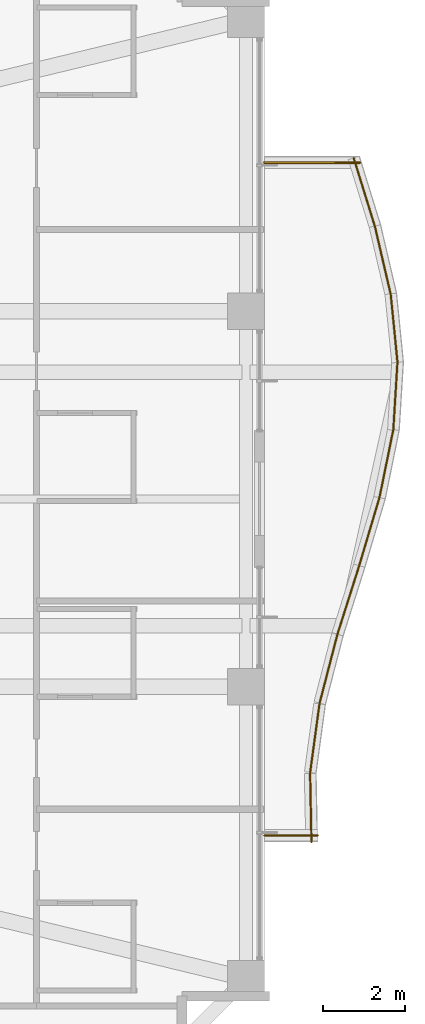
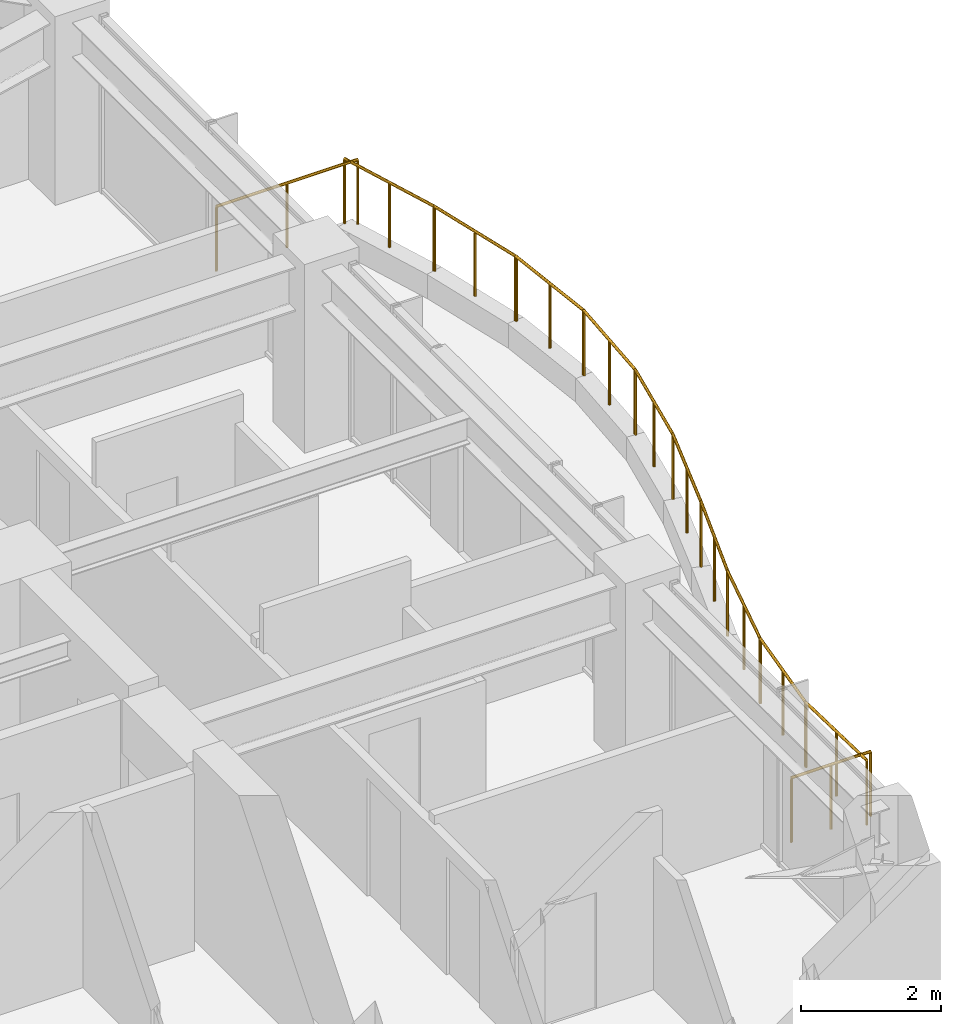
# One storey, part 32 of 32: 12 railings.
"""IFC4 building model written with IfcOpenShell, lengths in metres."""

from ifc_helpers import new_model, si_unit, direction, frame, origin, origin_2d, place, context, subcontext, project, spatial, circle, extrude, material, type_object, element, save


model = new_model("IFC4")

# Units and contexts
model_context = context("Model", 3, precision=1e-05, world=origin(), true_north=direction((0.0, 1.0)))
body_context = subcontext(model_context, "Body", "Model", "MODEL_VIEW")
ifc_project = project(units=[si_unit("LENGTHUNIT", "METRE"), si_unit("AREAUNIT", "SQUARE_METRE"), si_unit("VOLUMEUNIT", "CUBIC_METRE"), si_unit("PLANEANGLEUNIT", "RADIAN"), si_unit("MASSUNIT", "GRAM", prefix="KILO")], contexts=[model_context])

# Site, building, storey
site_placement = place(None, origin())
site = spatial("IfcSite", under=ifc_project, at=site_placement, CompositionType="ELEMENT")
building_placement = place(site_placement, origin())
building = spatial("IfcBuilding", under=site, at=building_placement, Name="Kolvaren Belvedere", CompositionType="ELEMENT")
storey_placement = place(building_placement, frame((0.0, 0.0, 141.5)))
storey = spatial("IfcBuildingStorey", under=building, at=storey_placement, Name="L41", CompositionType="ELEMENT", Elevation=141.5)

# Railings
ifc_material = material(Name="Anodised pale-metal aluminium & laminated glass guard", Category="aluminium")
railing_type = type_object("IfcRailingType", Name="RL-GUARD-1150", PredefinedType="GUARDRAIL", material=ifc_material)
railing_1_placement = place(storey_placement, frame((19.15283203125, -8.4033203125, 0.39990234375)))
element("IfcRailing", 1, at=railing_1_placement, inside=storey, type_object=railing_type, Name="L41 Exterior Deck Safety Guard BAL-E-1", PredefinedType="GUARDRAIL", context=body_context, shape_type="SweptSolid", body=[
    extrude(circle(Radius=0.02392578125, at=origin_2d()), frame((0.0, 0.0, 1.1259765625), z_axis=(-0.020048280122, 0.999799013034, 0.0), x_axis=(-0.999799013034, -0.020048280122, 0.0)), (0.0, 0.0, 1.0), 1.680419921875),
    extrude(circle(Radius=0.02099609375, at=origin_2d()), origin(), (0.0, 0.0, 1.0), 1.101806640625),
    extrude(circle(Radius=0.02099609375, at=origin_2d()), frame((-0.016845703125, 0.840087890625, 0.0)), (0.0, 0.0, 1.0), 1.101806640625),
    extrude(circle(Radius=0.02099609375, at=origin_2d()), frame((-0.03369140625, 1.68017578125, 0.0)), (0.0, 0.0, 1.0), 1.101806640625),
])
railing_2_placement = place(storey_placement, frame((19.12060546875, -6.698486328125, 0.39990234375)))
element("IfcRailing", 2, at=railing_2_placement, inside=storey, type_object=railing_type, Name="L41 Exterior Deck Safety Guard BAL-E-2", PredefinedType="GUARDRAIL", context=body_context, shape_type="SweptSolid", body=[
    extrude(circle(Radius=0.02392578125, at=origin_2d()), frame((0.0, 0.0, 1.1259765625), z_axis=(0.134907602079, 0.990858183042, 0.0), x_axis=(-0.990858183042, 0.134907602079, 0.0)), (0.0, 0.0, 1.0), 1.695556640625),
    extrude(circle(Radius=0.02099609375, at=origin_2d()), origin(), (0.0, 0.0, 1.0), 1.101806640625),
    extrude(circle(Radius=0.02099609375, at=origin_2d()), frame((0.1142578125, 0.840087890625, 0.0)), (0.0, 0.0, 1.0), 1.101806640625),
    extrude(circle(Radius=0.02099609375, at=origin_2d()), frame((0.228759765625, 1.68017578125, 0.0)), (0.0, 0.0, 1.0), 1.101806640625),
])
railing_3_placement = place(storey_placement, frame((19.352783203125, -5.0, 0.39990234375)))
element("IfcRailing", 3, at=railing_3_placement, inside=storey, type_object=railing_type, Name="L41 Exterior Deck Safety Guard BAL-E-3", PredefinedType="GUARDRAIL", context=body_context, shape_type="SweptSolid", body=[
    extrude(circle(Radius=0.02392578125, at=origin_2d()), frame((0.0, 0.0, 1.1259765625), z_axis=(0.250537405469, 0.968106919953, 0.0), x_axis=(-0.968106919953, 0.250537405469, 0.0)), (0.0, 0.0, 1.0), 1.735595703125),
    extrude(circle(Radius=0.02099609375, at=origin_2d()), origin(), (0.0, 0.0, 1.0), 1.101806640625),
    extrude(circle(Radius=0.02099609375, at=origin_2d()), frame((0.21728515625, 0.840087890625, 0.0)), (0.0, 0.0, 1.0), 1.101806640625),
    extrude(circle(Radius=0.02099609375, at=origin_2d()), frame((0.434814453125, 1.68017578125, 0.0)), (0.0, 0.0, 1.0), 1.101806640625),
])
railing_4_placement = place(storey_placement, frame((19.789794921875, -3.3115234375, 0.39990234375)))
element("IfcRailing", 4, at=railing_4_placement, inside=storey, type_object=railing_type, Name="L41 Exterior Deck Safety Guard BAL-E-4", PredefinedType="GUARDRAIL", context=body_context, shape_type="SweptSolid", body=[
    extrude(circle(Radius=0.02392578125, at=origin_2d()), frame((0.0, 0.0, 1.1259765625), z_axis=(0.302523204768, 0.953142020151, 0.0), x_axis=(-0.953142020151, 0.302523204768, 0.0)), (0.0, 0.0, 1.0), 1.762451171875),
    extrude(circle(Radius=0.02099609375, at=origin_2d()), origin(), (0.0, 0.0, 1.0), 1.101806640625),
    extrude(circle(Radius=0.02099609375, at=origin_2d()), frame((0.2666015625, 0.83984375, 0.0)), (0.0, 0.0, 1.0), 1.101806640625),
    extrude(circle(Radius=0.02099609375, at=origin_2d()), frame((0.533203125, 1.679931640625, 0.0)), (0.0, 0.0, 1.0), 1.101806640625),
])
railing_5_placement = place(storey_placement, frame((20.322021484375, -1.634521484375, 0.39990234375)))
element("IfcRailing", 5, at=railing_5_placement, inside=storey, type_object=railing_type, Name="L41 Exterior Deck Safety Guard BAL-E-5", PredefinedType="GUARDRAIL", context=body_context, shape_type="SweptSolid", body=[
    extrude(circle(Radius=0.02392578125, at=origin_2d()), frame((0.0, 0.0, 1.1259765625), z_axis=(0.284842289601, 0.958574394638, 0.0), x_axis=(-0.958574394638, 0.284842289601, 0.0)), (0.0, 0.0, 1.0), 1.752685546875),
    extrude(circle(Radius=0.02099609375, at=origin_2d()), origin(), (0.0, 0.0, 1.0), 1.101806640625),
    extrude(circle(Radius=0.02099609375, at=origin_2d()), frame((0.24951171875, 0.840087890625, 0.0)), (0.0, 0.0, 1.0), 1.101806640625),
    extrude(circle(Radius=0.02099609375, at=origin_2d()), frame((0.499267578125, 1.68017578125, 0.0)), (0.0, 0.0, 1.0), 1.101806640625),
])
railing_6_placement = place(storey_placement, frame((20.818115234375, 0.031982421875, 0.39990234375)))
element("IfcRailing", 6, at=railing_6_placement, inside=storey, type_object=railing_type, Name="L41 Exterior Deck Safety Guard BAL-E-6", PredefinedType="GUARDRAIL", context=body_context, shape_type="SweptSolid", body=[
    extrude(circle(Radius=0.02392578125, at=origin_2d()), frame((0.0, 0.0, 1.1259765625), z_axis=(0.199647526069, 0.979867779516, 0.0), x_axis=(-0.979867779516, 0.199647526069, 0.0)), (0.0, 0.0, 1.0), 1.71435546875),
    extrude(circle(Radius=0.02099609375, at=origin_2d()), origin(), (0.0, 0.0, 1.0), 1.101806640625),
    extrude(circle(Radius=0.02099609375, at=origin_2d()), frame((0.171142578125, 0.83984375, 0.0)), (0.0, 0.0, 1.0), 1.101806640625),
    extrude(circle(Radius=0.02099609375, at=origin_2d()), frame((0.34228515625, 1.679931640625, 0.0)), (0.0, 0.0, 1.0), 1.101806640625),
])
railing_7_placement = place(storey_placement, frame((21.157470703125, 1.689697265625, 0.39990234375)))
element("IfcRailing", 7, at=railing_7_placement, inside=storey, type_object=railing_type, Name="L41 Exterior Deck Safety Guard BAL-E-7", PredefinedType="GUARDRAIL", context=body_context, shape_type="SweptSolid", body=[
    extrude(circle(Radius=0.02392578125, at=origin_2d()), frame((0.0, 0.0, 1.1259765625), z_axis=(0.061059932685, 0.998134101522, 0.0), x_axis=(-0.998134101522, 0.061059932685, 0.0)), (0.0, 0.0, 1.0), 1.683349609375),
    extrude(circle(Radius=0.02099609375, at=origin_2d()), origin(), (0.0, 0.0, 1.0), 1.101806640625),
    extrude(circle(Radius=0.02099609375, at=origin_2d()), frame((0.05126953125, 0.840087890625, 0.0)), (0.0, 0.0, 1.0), 1.101806640625),
    extrude(circle(Radius=0.02099609375, at=origin_2d()), frame((0.102783203125, 1.68017578125, 0.0)), (0.0, 0.0, 1.0), 1.101806640625),
])
railing_8_placement = place(storey_placement, frame((21.2607421875, 3.343994140625, 0.39990234375)))
element("IfcRailing", 8, at=railing_8_placement, inside=storey, type_object=railing_type, Name="L41 Exterior Deck Safety Guard BAL-E-8", PredefinedType="GUARDRAIL", context=body_context, shape_type="SweptSolid", body=[
    extrude(circle(Radius=0.02392578125, at=origin_2d()), frame((0.0, 0.0, 1.1259765625), z_axis=(-0.099475088112, 0.995040052885, 0.0), x_axis=(-0.995040052885, -0.099475088112, 0.0)), (0.0, 0.0, 1.0), 1.6884765625),
    extrude(circle(Radius=0.02099609375, at=origin_2d()), origin(), (0.0, 0.0, 1.0), 1.101806640625),
    extrude(circle(Radius=0.02099609375, at=origin_2d()), frame((-0.083984375, 0.840087890625, 0.0)), (0.0, 0.0, 1.0), 1.101806640625),
    extrude(circle(Radius=0.02099609375, at=origin_2d()), frame((-0.16796875, 1.68017578125, 0.0)), (0.0, 0.0, 1.0), 1.101806640625),
])
railing_9_placement = place(storey_placement, frame((21.09619140625, 5.003662109375, 0.39990234375)))
element("IfcRailing", 9, at=railing_9_placement, inside=storey, type_object=railing_type, Name="L41 Exterior Deck Safety Guard BAL-E-9", PredefinedType="GUARDRAIL", context=body_context, shape_type="SweptSolid", body=[
    extrude(circle(Radius=0.02392578125, at=origin_2d()), frame((0.0, 0.0, 1.1259765625), z_axis=(-0.227019323824, 0.973890253884, 0.0), x_axis=(-0.973890253884, -0.227019323824, 0.0)), (0.0, 0.0, 1.0), 1.724853515625),
    extrude(circle(Radius=0.02099609375, at=origin_2d()), origin(), (0.0, 0.0, 1.0), 1.101806640625),
    extrude(circle(Radius=0.02099609375, at=origin_2d()), frame((-0.19580078125, 0.83984375, 0.0)), (0.0, 0.0, 1.0), 1.101806640625),
    extrude(circle(Radius=0.02099609375, at=origin_2d()), frame((-0.3916015625, 1.679931640625, 0.0)), (0.0, 0.0, 1.0), 1.101806640625),
])
railing_10_placement = place(storey_placement, frame((20.70751953125, 6.672607421875, 0.39990234375)))
element("IfcRailing", 10, at=railing_10_placement, inside=storey, type_object=railing_type, Name="L41 Exterior Deck Safety Guard BAL-E-10", PredefinedType="GUARDRAIL", context=body_context, shape_type="SweptSolid", body=[
    extrude(circle(Radius=0.02392578125, at=origin_2d()), frame((0.0, 0.0, 1.1259765625), z_axis=(-0.29579229954, 0.955252278476, 0.0), x_axis=(-0.955252278476, -0.29579229954, 0.0)), (0.0, 0.0, 1.0), 1.7587890625),
    extrude(circle(Radius=0.02099609375, at=origin_2d()), origin(), (0.0, 0.0, 1.0), 1.101806640625),
    extrude(circle(Radius=0.02099609375, at=origin_2d()), frame((-0.26025390625, 0.840087890625, 0.0)), (0.0, 0.0, 1.0), 1.101806640625),
    extrude(circle(Radius=0.02099609375, at=origin_2d()), frame((-0.520263671875, 1.68017578125, 0.0)), (0.0, 0.0, 1.0), 1.101806640625),
])
railing_11_placement = place(storey_placement, frame((20.340087890625, 8.239990234375, 0.39990234375)))
element("IfcRailing", 11, at=railing_11_placement, inside=storey, type_object=railing_type, Name="L41 Exterior Deck Safety Guard BAL-E-11", PredefinedType="GUARDRAIL", context=body_context, shape_type="SweptSolid", body=[
    extrude(circle(Radius=0.02392578125, at=origin_2d()), frame((0.0, 0.0, 1.1259765625), z_axis=(-1.0, 0.0, 0.0), x_axis=(0.0, -1.0, 0.0)), (0.0, 0.0, 1.0), 2.340087890625),
    extrude(circle(Radius=0.02099609375, at=origin_2d()), origin(), (0.0, 0.0, 1.0), 1.101806640625),
    extrude(circle(Radius=0.02099609375, at=origin_2d()), frame((-1.169921875, 0.0, 0.0)), (0.0, 0.0, 1.0), 1.101806640625),
    extrude(circle(Radius=0.02099609375, at=origin_2d()), frame((-2.340087890625, 0.0, 0.0)), (0.0, 0.0, 1.0), 1.101806640625),
])
railing_12_placement = place(storey_placement, frame((18.0, -8.239990234375, 0.39990234375)))
element("IfcRailing", 12, at=railing_12_placement, inside=storey, type_object=railing_type, Name="L41 Exterior Deck Safety Guard BAL-E-22", PredefinedType="GUARDRAIL", context=body_context, shape_type="SweptSolid", body=[
    extrude(circle(Radius=0.02392578125, at=origin_2d()), frame((0.0, 0.0, 1.1259765625), z_axis=(1.0, 0.0, 0.0), x_axis=(0.0, 1.0, 0.0)), (0.0, 0.0, 1.0), 1.31298828125),
    extrude(circle(Radius=0.02099609375, at=origin_2d()), origin(), (0.0, 0.0, 1.0), 1.101806640625),
    extrude(circle(Radius=0.02099609375, at=origin_2d()), frame((0.656494140625, 0.0, 0.0)), (0.0, 0.0, 1.0), 1.101806640625),
    extrude(circle(Radius=0.02099609375, at=origin_2d()), frame((1.31298828125, 0.0, 0.0)), (0.0, 0.0, 1.0), 1.101806640625),
])

save(model, "model.ifc")
